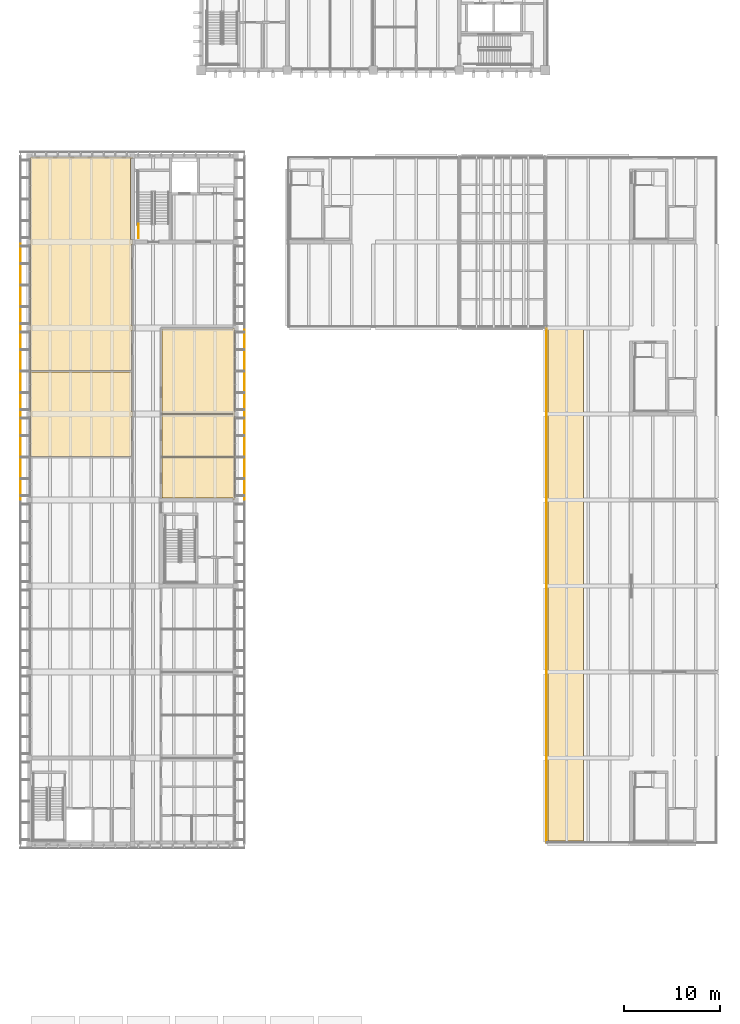
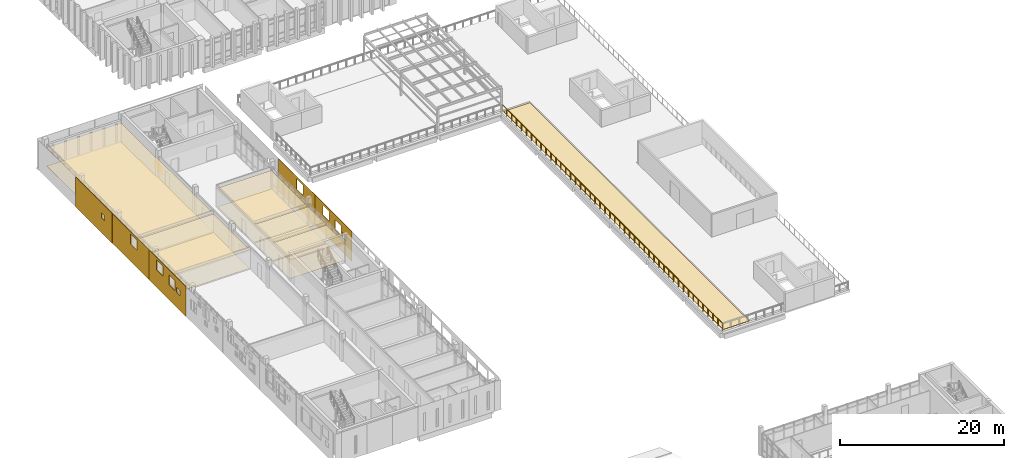
# One storey, part 67 of 74: 16 coverings, 2 railings.
"""IFC4 building model written with IfcOpenShell, lengths in metres."""

from ifc_helpers import new_model, si_unit, direction, frame, origin, origin_2d, place, context, subcontext, project, spatial, polyline, circle, outline, extrude, source, transform, mapped, material, layer, layer_set, type_object, element, save


model = new_model("IFC4")

# Units and contexts
model_context = context("Model", 3, precision=1e-05, world=origin(), true_north=direction((0.0, 1.0)))
body_context = subcontext(model_context, "Body", "Model", "MODEL_VIEW")
ifc_project = project(units=[si_unit("LENGTHUNIT", "METRE"), si_unit("AREAUNIT", "SQUARE_METRE"), si_unit("VOLUMEUNIT", "CUBIC_METRE"), si_unit("PLANEANGLEUNIT", "RADIAN"), si_unit("MASSUNIT", "GRAM", prefix="KILO")], contexts=[model_context])

# Site, building, storey
site_placement = place(None, origin())
site = spatial("IfcSite", under=ifc_project, at=site_placement, CompositionType="ELEMENT")
building_placement = place(site_placement, origin())
building = spatial("IfcBuilding", under=site, at=building_placement, Name="Merrow Basin Faculty of Sciences", CompositionType="ELEMENT")
storey_placement = place(building_placement, frame((0.0, 0.0, 13.5)))
storey = spatial("IfcBuildingStorey", under=building, at=storey_placement, Name="L03", CompositionType="ELEMENT", Elevation=13.5)

# Coverings
ifc_material_1 = material(Name="Carpet tile floor")
ifc_layer_1 = layer(ifc_material_1, 0.02001953125)
ifc_layer_set_1 = layer_set([ifc_layer_1], Name="Carpet tile floor")
covering_type_1 = type_object("IfcCoveringType", Name="Carpet tile floor", PredefinedType="FLOORING", material=ifc_layer_set_1)
covering_1_placement = place(storey_placement, origin())
element("IfcCovering", 1, at=covering_1_placement, inside=storey, type_object=covering_type_1, Name="Floor finish L03-B-025", PredefinedType="FLOORING", context=body_context, shape_type="SweptSolid", body=[
    extrude(outline(polyline([(21.489990234375, 101.489990234375), (21.489990234375, 97.010009765625), (21.3349609375, 97.010009765625), (21.3349609375, 97.2099609375), (13.885009765625, 97.2099609375), (13.885009765625, 101.43994140625), (21.429931640625, 101.43994140625), (21.429931640625, 101.489990234375), (21.489990234375, 101.489990234375)])), origin(), (0.0, 0.0, 1.0), 0.02001953125),
])
covering_2_placement = place(storey_placement, origin())
element("IfcCovering", 2, at=covering_2_placement, inside=storey, type_object=covering_type_1, Name="Floor finish L03-B-026", PredefinedType="FLOORING", context=body_context, shape_type="SweptSolid", body=[
    extrude(outline(polyline([(21.489990234375, 105.989990234375), (21.489990234375, 101.510009765625), (21.429931640625, 101.510009765625), (21.429931640625, 101.56005859375), (13.885009765625, 101.56005859375), (13.885009765625, 105.93994140625), (21.3349609375, 105.93994140625), (21.3349609375, 105.989990234375), (21.489990234375, 105.989990234375)])), origin(), (0.0, 0.0, 1.0), 0.02001953125),
])
covering_3_placement = place(storey_placement, origin())
element("IfcCovering", 3, at=covering_3_placement, inside=storey, type_object=covering_type_1, Name="Floor finish L03-B-027", PredefinedType="FLOORING", context=body_context, shape_type="SweptSolid", body=[
    extrude(outline(polyline([(21.489990234375, 114.989990234375), (21.489990234375, 106.010009765625), (21.3349609375, 106.010009765625), (21.3349609375, 106.06005859375), (13.885009765625, 106.06005859375), (13.885009765625, 114.9150390625), (21.3349609375, 114.9150390625), (21.3349609375, 114.989990234375), (21.489990234375, 114.989990234375)])), origin(), (0.0, 0.0, 1.0), 0.02001953125),
])
ifc_material_2 = material(Name="Laboratory sheet vinyl floor")
ifc_layer_2 = layer(ifc_material_2, 0.02001953125)
ifc_layer_set_2 = layer_set([ifc_layer_2], Name="Laboratory sheet vinyl floor")
covering_type_2 = type_object("IfcCoveringType", Name="Laboratory sheet vinyl floor", PredefinedType="FLOORING", material=ifc_layer_set_2)
covering_4_placement = place(storey_placement, origin())
element("IfcCovering", 4, at=covering_4_placement, inside=storey, type_object=covering_type_2, Name="Floor finish L03-B-019", PredefinedType="FLOORING", context=body_context, shape_type="SweptSolid", body=[
    extrude(outline(polyline([(10.715087890625, 110.4150390625), (10.715087890625, 106.264892578125), (10.7900390625, 106.264892578125), (10.7900390625, 105.735107421875), (10.715087890625, 105.735107421875), (10.715087890625, 101.5849609375), (0.169921875, 101.5849609375), (0.169921875, 101.510009765625), (0.110107421875, 101.510009765625), (0.110107421875, 110.489990234375), (0.169921875, 110.489990234375), (0.169921875, 110.4150390625), (10.715087890625, 110.4150390625)])), origin(), (0.0, 0.0, 1.0), 0.02001953125),
])
covering_5_placement = place(storey_placement, origin())
element("IfcCovering", 5, at=covering_5_placement, inside=storey, type_object=covering_type_2, Name="Floor finish L03-B-020", PredefinedType="FLOORING", context=body_context, shape_type="SweptSolid", body=[
    extrude(outline(polyline([(10.715087890625, 110.5849609375), (0.169921875, 110.5849609375), (0.169921875, 110.510009765625), (0.110107421875, 110.510009765625), (0.110107421875, 132.889892578125), (10.7900390625, 132.889892578125), (10.7900390625, 132.735107421875), (10.590087890625, 132.735107421875), (10.590087890625, 124.264892578125), (10.7900390625, 124.264892578125), (10.7900390625, 123.735107421875), (10.715087890625, 123.735107421875), (10.715087890625, 115.264892578125), (10.7900390625, 115.264892578125), (10.7900390625, 114.735107421875), (10.715087890625, 114.735107421875), (10.715087890625, 110.5849609375)])), origin(), (0.0, 0.0, 1.0), 0.02001953125),
])

# Railings
ifc_material_3 = material(Name="Stainless steel balustrade", Category="steel")
railing_type_1 = type_object("IfcRailingType", Name="Roof terrace guard 1100", PredefinedType="GUARDRAIL", material=ifc_material_3)
railing_1_placement = place(storey_placement, frame((54.14990234375, 61.14990234375, 0.0)))
element("IfcRailing", 6, at=railing_1_placement, inside=storey, type_object=railing_type_1, Name="Roof terrace guard", PredefinedType="GUARDRAIL", context=body_context, shape_type="SweptSolid", body=[
    extrude(circle(Radius=0.02392578125, at=origin_2d()), frame((0.0, 0.0, 1.076171875), z_axis=(0.0, 1.0, 0.0), x_axis=(-1.0, 0.0, 0.0)), (0.0, 0.0, 1.0), 54.0),
    extrude(circle(Radius=0.02099609375, at=origin_2d()), origin(), (0.0, 0.0, 1.0), 1.052001953125),
    extrude(circle(Radius=0.02099609375, at=origin_2d()), frame((0.0, 1.199951171875, 0.0)), (0.0, 0.0, 1.0), 1.052001953125),
    extrude(circle(Radius=0.02099609375, at=origin_2d()), frame((0.0, 2.39990234375, 0.0)), (0.0, 0.0, 1.0), 1.052001953125),
    extrude(circle(Radius=0.02099609375, at=origin_2d()), frame((0.0, 3.60009765625, 0.0)), (0.0, 0.0, 1.0), 1.052001953125),
    extrude(circle(Radius=0.02099609375, at=origin_2d()), frame((0.0, 4.800048828125, 0.0)), (0.0, 0.0, 1.0), 1.052001953125),
    extrude(circle(Radius=0.02099609375, at=origin_2d()), frame((0.0, 6.0, 0.0)), (0.0, 0.0, 1.0), 1.052001953125),
    extrude(circle(Radius=0.02099609375, at=origin_2d()), frame((0.0, 7.199951171875, 0.0)), (0.0, 0.0, 1.0), 1.052001953125),
    extrude(circle(Radius=0.02099609375, at=origin_2d()), frame((0.0, 8.39990234375, 0.0)), (0.0, 0.0, 1.0), 1.052001953125),
    extrude(circle(Radius=0.02099609375, at=origin_2d()), frame((0.0, 9.60009765625, 0.0)), (0.0, 0.0, 1.0), 1.052001953125),
    extrude(circle(Radius=0.02099609375, at=origin_2d()), frame((0.0, 10.800048828125, 0.0)), (0.0, 0.0, 1.0), 1.052001953125),
    extrude(circle(Radius=0.02099609375, at=origin_2d()), frame((0.0, 12.0, 0.0)), (0.0, 0.0, 1.0), 1.052001953125),
    extrude(circle(Radius=0.02099609375, at=origin_2d()), frame((0.0, 13.199951171875, 0.0)), (0.0, 0.0, 1.0), 1.052001953125),
    extrude(circle(Radius=0.02099609375, at=origin_2d()), frame((0.0, 14.39990234375, 0.0)), (0.0, 0.0, 1.0), 1.052001953125),
    extrude(circle(Radius=0.02099609375, at=origin_2d()), frame((0.0, 15.60009765625, 0.0)), (0.0, 0.0, 1.0), 1.052001953125),
    extrude(circle(Radius=0.02099609375, at=origin_2d()), frame((0.0, 16.800048828125, 0.0)), (0.0, 0.0, 1.0), 1.052001953125),
    extrude(circle(Radius=0.02099609375, at=origin_2d()), frame((0.0, 18.0, 0.0)), (0.0, 0.0, 1.0), 1.052001953125),
    extrude(circle(Radius=0.02099609375, at=origin_2d()), frame((0.0, 19.199951171875, 0.0)), (0.0, 0.0, 1.0), 1.052001953125),
    extrude(circle(Radius=0.02099609375, at=origin_2d()), frame((0.0, 20.39990234375, 0.0)), (0.0, 0.0, 1.0), 1.052001953125),
    extrude(circle(Radius=0.02099609375, at=origin_2d()), frame((0.0, 21.60009765625, 0.0)), (0.0, 0.0, 1.0), 1.052001953125),
    extrude(circle(Radius=0.02099609375, at=origin_2d()), frame((0.0, 22.800048828125, 0.0)), (0.0, 0.0, 1.0), 1.052001953125),
    extrude(circle(Radius=0.02099609375, at=origin_2d()), frame((0.0, 24.0, 0.0)), (0.0, 0.0, 1.0), 1.052001953125),
    extrude(circle(Radius=0.02099609375, at=origin_2d()), frame((0.0, 25.199951171875, 0.0)), (0.0, 0.0, 1.0), 1.052001953125),
    extrude(circle(Radius=0.02099609375, at=origin_2d()), frame((0.0, 26.39990234375, 0.0)), (0.0, 0.0, 1.0), 1.052001953125),
    extrude(circle(Radius=0.02099609375, at=origin_2d()), frame((0.0, 27.60009765625, 0.0)), (0.0, 0.0, 1.0), 1.052001953125),
    extrude(circle(Radius=0.02099609375, at=origin_2d()), frame((0.0, 28.800048828125, 0.0)), (0.0, 0.0, 1.0), 1.052001953125),
    extrude(circle(Radius=0.02099609375, at=origin_2d()), frame((0.0, 30.0, 0.0)), (0.0, 0.0, 1.0), 1.052001953125),
    extrude(circle(Radius=0.02099609375, at=origin_2d()), frame((0.0, 31.199951171875, 0.0)), (0.0, 0.0, 1.0), 1.052001953125),
    extrude(circle(Radius=0.02099609375, at=origin_2d()), frame((0.0, 32.39990234375, 0.0)), (0.0, 0.0, 1.0), 1.052001953125),
    extrude(circle(Radius=0.02099609375, at=origin_2d()), frame((0.0, 33.60009765625, 0.0)), (0.0, 0.0, 1.0), 1.052001953125),
    extrude(circle(Radius=0.02099609375, at=origin_2d()), frame((0.0, 34.800048828125, 0.0)), (0.0, 0.0, 1.0), 1.052001953125),
    extrude(circle(Radius=0.02099609375, at=origin_2d()), frame((0.0, 36.0, 0.0)), (0.0, 0.0, 1.0), 1.052001953125),
    extrude(circle(Radius=0.02099609375, at=origin_2d()), frame((0.0, 37.199951171875, 0.0)), (0.0, 0.0, 1.0), 1.052001953125),
    extrude(circle(Radius=0.02099609375, at=origin_2d()), frame((0.0, 38.39990234375, 0.0)), (0.0, 0.0, 1.0), 1.052001953125),
    extrude(circle(Radius=0.02099609375, at=origin_2d()), frame((0.0, 39.60009765625, 0.0)), (0.0, 0.0, 1.0), 1.052001953125),
    extrude(circle(Radius=0.02099609375, at=origin_2d()), frame((0.0, 40.800048828125, 0.0)), (0.0, 0.0, 1.0), 1.052001953125),
    extrude(circle(Radius=0.02099609375, at=origin_2d()), frame((0.0, 42.0, 0.0)), (0.0, 0.0, 1.0), 1.052001953125),
    extrude(circle(Radius=0.02099609375, at=origin_2d()), frame((0.0, 43.199951171875, 0.0)), (0.0, 0.0, 1.0), 1.052001953125),
    extrude(circle(Radius=0.02099609375, at=origin_2d()), frame((0.0, 44.39990234375, 0.0)), (0.0, 0.0, 1.0), 1.052001953125),
    extrude(circle(Radius=0.02099609375, at=origin_2d()), frame((0.0, 45.60009765625, 0.0)), (0.0, 0.0, 1.0), 1.052001953125),
    extrude(circle(Radius=0.02099609375, at=origin_2d()), frame((0.0, 46.800048828125, 0.0)), (0.0, 0.0, 1.0), 1.052001953125),
    extrude(circle(Radius=0.02099609375, at=origin_2d()), frame((0.0, 48.0, 0.0)), (0.0, 0.0, 1.0), 1.052001953125),
    extrude(circle(Radius=0.02099609375, at=origin_2d()), frame((0.0, 49.199951171875, 0.0)), (0.0, 0.0, 1.0), 1.052001953125),
    extrude(circle(Radius=0.02099609375, at=origin_2d()), frame((0.0, 50.39990234375, 0.0)), (0.0, 0.0, 1.0), 1.052001953125),
    extrude(circle(Radius=0.02099609375, at=origin_2d()), frame((0.0, 51.60009765625, 0.0)), (0.0, 0.0, 1.0), 1.052001953125),
    extrude(circle(Radius=0.02099609375, at=origin_2d()), frame((0.0, 52.800048828125, 0.0)), (0.0, 0.0, 1.0), 1.052001953125),
    extrude(circle(Radius=0.02099609375, at=origin_2d()), frame((0.0, 54.0, 0.0)), (0.0, 0.0, 1.0), 1.052001953125),
])
ifc_material_4 = material(Name="Steel ASTM A36", Category="steel")
railing_type_2 = type_object("IfcRailingType", Name="Steel guard 1100", PredefinedType="GUARDRAIL", material=ifc_material_4)
railing_2_placement = place(storey_placement, frame((11.449951171875, 124.39990234375, 0.0)))
element("IfcRailing", 7, at=railing_2_placement, inside=storey, type_object=railing_type_2, Name="L03 ST-V4-N stair guard 6", PredefinedType="GUARDRAIL", context=body_context, shape_type="SweptSolid", body=[
    extrude(circle(Radius=0.02392578125, at=origin_2d()), frame((0.0, 0.0, 1.076171875), z_axis=(0.0, 1.0, 0.0), x_axis=(-1.0, 0.0, 0.0)), (0.0, 0.0, 1.0), 1.5),
    extrude(circle(Radius=0.02099609375, at=origin_2d()), origin(), (0.0, 0.0, 1.0), 1.052001953125),
    extrude(circle(Radius=0.02099609375, at=origin_2d()), frame((0.0, 0.75, 0.0)), (0.0, 0.0, 1.0), 1.052001953125),
    extrude(circle(Radius=0.02099609375, at=origin_2d()), frame((0.0, 1.5, 0.0)), (0.0, 0.0, 1.0), 1.052001953125),
])

# Coverings
ifc_material_5 = material(Name="Mineral fibre ceiling tile")
ifc_layer_3 = layer(ifc_material_5, 0.050048828125)
ifc_layer_set_3 = layer_set([ifc_layer_3], Name="Suspended acoustic ceiling tile")
covering_type_3 = type_object("IfcCoveringType", Name="Suspended acoustic ceiling tile", PredefinedType="CEILING", material=ifc_layer_set_3)
covering_6_placement = place(storey_placement, frame((0.0, 0.0, 2.75)))
element("IfcCovering", 8, at=covering_6_placement, inside=storey, type_object=covering_type_3, Name="Ceiling L03-B-019", PredefinedType="CEILING", context=body_context, shape_type="SweptSolid", body=[
    extrude(outline(polyline([(10.715087890625, 110.4150390625), (10.715087890625, 106.264892578125), (10.7900390625, 106.264892578125), (10.7900390625, 105.735107421875), (10.715087890625, 105.735107421875), (10.715087890625, 101.5849609375), (0.169921875, 101.5849609375), (0.169921875, 101.510009765625), (0.110107421875, 101.510009765625), (0.110107421875, 110.489990234375), (0.169921875, 110.489990234375), (0.169921875, 110.4150390625), (10.715087890625, 110.4150390625)])), origin(), (0.0, 0.0, 1.0), 0.050048828125),
])
covering_7_placement = place(storey_placement, frame((0.0, 0.0, 2.75)))
element("IfcCovering", 9, at=covering_7_placement, inside=storey, type_object=covering_type_3, Name="Ceiling L03-B-020", PredefinedType="CEILING", context=body_context, shape_type="SweptSolid", body=[
    extrude(outline(polyline([(10.715087890625, 110.5849609375), (0.169921875, 110.5849609375), (0.169921875, 110.510009765625), (0.110107421875, 110.510009765625), (0.110107421875, 132.889892578125), (10.7900390625, 132.889892578125), (10.7900390625, 132.735107421875), (10.590087890625, 132.735107421875), (10.590087890625, 124.264892578125), (10.7900390625, 124.264892578125), (10.7900390625, 123.735107421875), (10.715087890625, 123.735107421875), (10.715087890625, 115.264892578125), (10.7900390625, 115.264892578125), (10.7900390625, 114.735107421875), (10.715087890625, 114.735107421875), (10.715087890625, 110.5849609375)])), origin(), (0.0, 0.0, 1.0), 0.050048828125),
])
covering_8_placement = place(storey_placement, frame((0.0, 0.0, 2.75)))
element("IfcCovering", 10, at=covering_8_placement, inside=storey, type_object=covering_type_3, Name="Ceiling L03-B-025", PredefinedType="CEILING", context=body_context, shape_type="SweptSolid", body=[
    extrude(outline(polyline([(21.489990234375, 101.489990234375), (21.489990234375, 97.010009765625), (21.3349609375, 97.010009765625), (21.3349609375, 97.2099609375), (13.885009765625, 97.2099609375), (13.885009765625, 101.43994140625), (21.429931640625, 101.43994140625), (21.429931640625, 101.489990234375), (21.489990234375, 101.489990234375)])), origin(), (0.0, 0.0, 1.0), 0.050048828125),
])
covering_9_placement = place(storey_placement, frame((0.0, 0.0, 2.75)))
element("IfcCovering", 11, at=covering_9_placement, inside=storey, type_object=covering_type_3, Name="Ceiling L03-B-026", PredefinedType="CEILING", context=body_context, shape_type="SweptSolid", body=[
    extrude(outline(polyline([(21.489990234375, 105.989990234375), (21.489990234375, 101.510009765625), (21.429931640625, 101.510009765625), (21.429931640625, 101.56005859375), (13.885009765625, 101.56005859375), (13.885009765625, 105.93994140625), (21.3349609375, 105.93994140625), (21.3349609375, 105.989990234375), (21.489990234375, 105.989990234375)])), origin(), (0.0, 0.0, 1.0), 0.050048828125),
])
covering_10_placement = place(storey_placement, frame((0.0, 0.0, 2.75)))
element("IfcCovering", 12, at=covering_10_placement, inside=storey, type_object=covering_type_3, Name="Ceiling L03-B-027", PredefinedType="CEILING", context=body_context, shape_type="SweptSolid", body=[
    extrude(outline(polyline([(21.489990234375, 114.989990234375), (21.489990234375, 106.010009765625), (21.3349609375, 106.010009765625), (21.3349609375, 106.06005859375), (13.885009765625, 106.06005859375), (13.885009765625, 114.9150390625), (21.3349609375, 114.9150390625), (21.3349609375, 114.989990234375), (21.489990234375, 114.989990234375)])), origin(), (0.0, 0.0, 1.0), 0.050048828125),
])
ifc_material_6 = material(Name="Concrete paving slab", Category="concrete")
ifc_layer_4 = layer(ifc_material_6, 0.050048828125)
ifc_layer_set_4 = layer_set([ifc_layer_4], Name="Terrace paving 50")
covering_type_4 = type_object("IfcCoveringType", Name="Terrace paving 50", PredefinedType="FLOORING", material=ifc_layer_set_4)
covering_11_placement = place(storey_placement, origin())
element("IfcCovering", 13, at=covering_11_placement, inside=storey, type_object=covering_type_4, Name="Terrace paving", PredefinedType="FLOORING", context=body_context, shape_type="SweptSolid", body=[
    extrude(outline(polyline([(54.300048828125, 61.300048828125), (54.300048828125, 115.0), (58.0, 115.0), (58.0, 61.300048828125), (54.300048828125, 61.300048828125)])), origin(), (0.0, 0.0, 1.0), 0.050048828125),
])
ifc_material_7 = material(Name="White powder-coated aluminium", Category="aluminium")
ifc_layer_5 = layer(ifc_material_7, 0.0400390625)
ifc_layer_set_5 = layer_set([ifc_layer_5], Name="Perforated panel 9000 x 4500")
covering_type_5 = type_object("IfcCoveringType", Name="Perforated panel 9000 x 4500", PredefinedType="CLADDING", material=ifc_layer_set_5)
shared_shape_1 = source(origin(), body_context, "Body", "SweptSolid", [
    extrude(outline(polyline([(0.02001953125, 0.02001953125), (8.97998046875, 0.02001953125), (8.97998046875, 4.47998046875), (0.02001953125, 4.47998046875), (0.02001953125, 0.02001953125)]), holes=[polyline([(1.5, 2.25), (2.25, 2.25), (2.25, 3.0), (1.5, 3.0), (1.5, 2.25)]), polyline([(2.625, 2.25), (4.125, 2.25), (4.125, 3.75), (2.625, 3.75), (2.625, 2.25)]), polyline([(5.625, 2.625), (7.125, 2.625), (7.125, 4.125), (5.625, 4.125), (5.625, 2.625)])]), origin(), (0.0, 0.0, 1.0), 0.0400390625),
])
covering_12_placement = place(storey_placement, frame((-0.93994140625, 97.0, -0.320068359375), z_axis=(1.0, 0.0, 0.0), x_axis=(0.0, 1.0, 0.0)))
element("IfcCovering", 14, at=covering_12_placement, inside=storey, type_object=covering_type_5, Name="Perforated panel WL03-05", PredefinedType="CLADDING", context=body_context, shape_type="MappedRepresentation", body=[
    mapped(shared_shape_1, transform((0.0, 0.0, 0.0), scale=1.0)),
])
shared_shape_2 = source(origin(), body_context, "Body", "SweptSolid", [
    extrude(outline(polyline([(0.02001953125, 0.02001953125), (8.97998046875, 0.02001953125), (8.97998046875, 4.47998046875), (0.02001953125, 4.47998046875), (0.02001953125, 0.02001953125)]), holes=[polyline([(6.75, 2.25), (7.5, 2.25), (7.5, 3.0), (6.75, 3.0), (6.75, 2.25)]), polyline([(4.875, 2.25), (6.375, 2.25), (6.375, 3.75), (4.875, 3.75), (4.875, 2.25)]), polyline([(1.875, 2.625), (3.375, 2.625), (3.375, 4.125), (1.875, 4.125), (1.875, 2.625)])]), origin(), (0.0, 0.0, 1.0), 0.0400390625),
])
covering_13_placement = place(storey_placement, frame((22.5400390625, 106.0, -0.320068359375), z_axis=(-1.0, 0.0, 0.0), x_axis=(0.0, -1.0, 0.0)))
element("IfcCovering", 15, at=covering_13_placement, inside=storey, type_object=covering_type_5, Name="Perforated panel EL03-05", PredefinedType="CLADDING", context=body_context, shape_type="MappedRepresentation", body=[
    mapped(shared_shape_2, transform((0.0, 0.0, 0.0), scale=1.0)),
])
shared_shape_3 = source(origin(), body_context, "Body", "SweptSolid", [
    extrude(outline(polyline([(0.02001953125, 0.02001953125), (8.97998046875, 0.02001953125), (8.97998046875, 4.47998046875), (0.02001953125, 4.47998046875), (0.02001953125, 0.02001953125)]), holes=[polyline([(3.0, 2.625), (4.5, 2.625), (4.5, 4.125), (3.0, 4.125), (3.0, 2.625)])]), origin(), (0.0, 0.0, 1.0), 0.0400390625),
])
covering_14_placement = place(storey_placement, frame((-0.93994140625, 106.0, -0.320068359375), z_axis=(1.0, 0.0, 0.0), x_axis=(0.0, 1.0, 0.0)))
element("IfcCovering", 16, at=covering_14_placement, inside=storey, type_object=covering_type_5, Name="Perforated panel WL03-06", PredefinedType="CLADDING", context=body_context, shape_type="MappedRepresentation", body=[
    mapped(shared_shape_3, transform((0.0, 0.0, 0.0), scale=1.0)),
])
shared_shape_4 = source(origin(), body_context, "Body", "SweptSolid", [
    extrude(outline(polyline([(0.02001953125, 0.02001953125), (8.97998046875, 0.02001953125), (8.97998046875, 4.47998046875), (0.02001953125, 4.47998046875), (0.02001953125, 0.02001953125)]), holes=[polyline([(4.5, 2.625), (6.0, 2.625), (6.0, 4.125), (4.5, 4.125), (4.5, 2.625)])]), origin(), (0.0, 0.0, 1.0), 0.0400390625),
])
covering_15_placement = place(storey_placement, frame((22.5400390625, 115.0, -0.320068359375), z_axis=(-1.0, 0.0, 0.0), x_axis=(0.0, -1.0, 0.0)))
element("IfcCovering", 17, at=covering_15_placement, inside=storey, type_object=covering_type_5, Name="Perforated panel EL03-06", PredefinedType="CLADDING", context=body_context, shape_type="MappedRepresentation", body=[
    mapped(shared_shape_4, transform((0.0, 0.0, 0.0), scale=1.0)),
])
shared_shape_5 = source(origin(), body_context, "Body", "SweptSolid", [
    extrude(outline(polyline([(0.02001953125, 0.02001953125), (8.97998046875, 0.02001953125), (8.97998046875, 4.47998046875), (0.02001953125, 4.47998046875), (0.02001953125, 0.02001953125)]), holes=[polyline([(1.875, 2.25), (2.625, 2.25), (2.625, 3.0), (1.875, 3.0), (1.875, 2.25)])]), origin(), (0.0, 0.0, 1.0), 0.0400390625),
])
covering_16_placement = place(storey_placement, frame((-0.93994140625, 115.0, -0.320068359375), z_axis=(1.0, 0.0, 0.0), x_axis=(0.0, 1.0, 0.0)))
element("IfcCovering", 18, at=covering_16_placement, inside=storey, type_object=covering_type_5, Name="Perforated panel WL03-07", PredefinedType="CLADDING", context=body_context, shape_type="MappedRepresentation", body=[
    mapped(shared_shape_5, transform((0.0, 0.0, 0.0), scale=1.0)),
])

save(model, "model.ifc")
